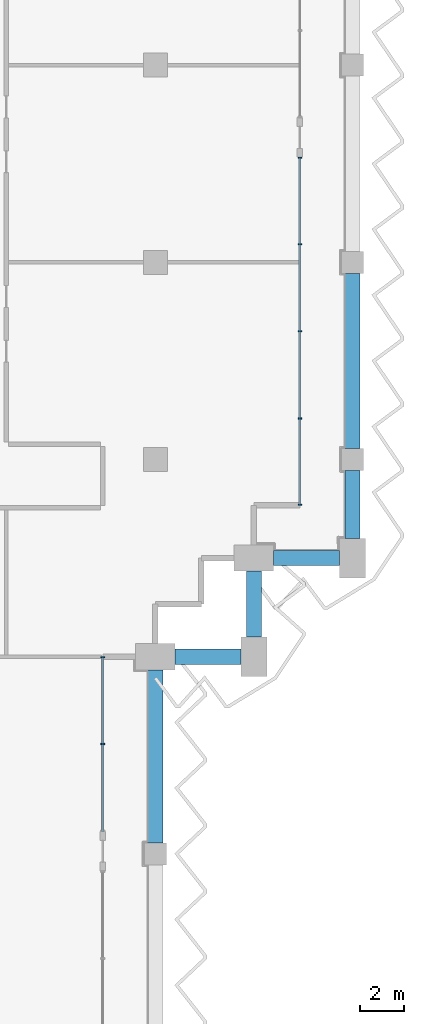
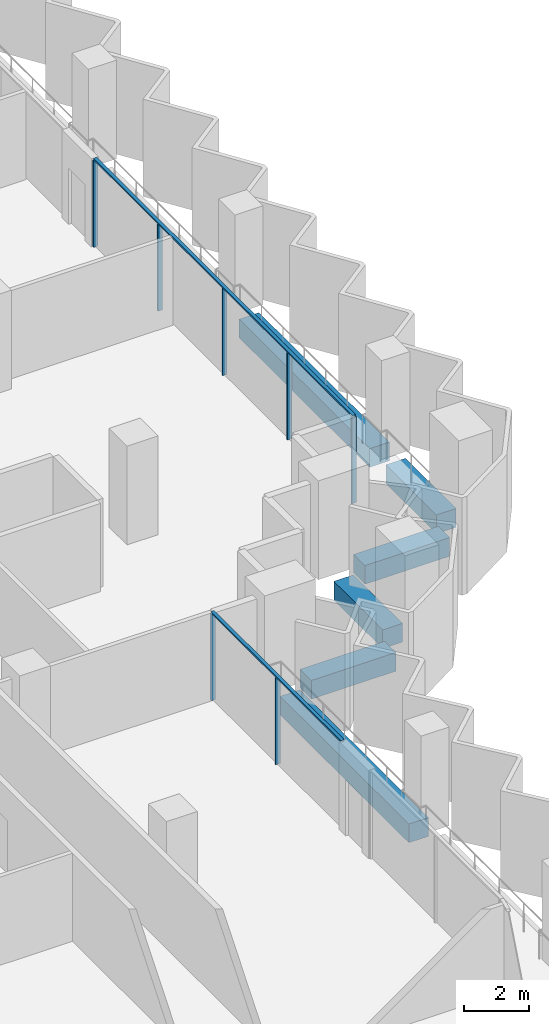
# One storey, part 4 of 17: 9 members, 6 beams, 2 elements without a shape of their own.
"""IFC4 building model written with IfcOpenShell, lengths in metres."""

import ifcopenshell
import ifcopenshell.guid

model = None  # the IFC model being written
_history = None  # IfcOwnerHistory: only IFC2X3 demands one
_inside = {}  # id of a spatial element -> (the spatial element, [elements in it])
_under = {}  # id of a project, library or spatial element -> (it, [spatial elements below it])
_declared = {}  # id of a project -> (the project, [libraries it declares])
_typed = {}  # id of a type object -> (the type object, [elements of that type])
_made_of = {}  # id of a material, layer set ... -> (it, [elements and type objects made of it])


def new_model(schema):
    """Start an empty IFC model of exactly this schema.

    Asked for "IFC4X3", IfcOpenShell would pick the latest addendum, in which some entities
    have other attributes; the version numbers below select the first issue.
    IFC2X3 requires an IfcOwnerHistory on every rooted entity: one is made here for all.
    """
    global model, _history
    if schema == "IFC4X3":
        model = ifcopenshell.file(schema_version=(4, 3, 0, 0))
    else:
        model = ifcopenshell.file(schema=schema)
    _inside.clear()
    _under.clear()
    _declared.clear()
    _typed.clear()
    _made_of.clear()
    _history = None
    if model.schema == "IFC2X3":
        org = make("IfcOrganization", Name="unknown")
        user = make(
            "IfcPersonAndOrganization",
            ThePerson=make("IfcPerson", FamilyName="unknown"),
            TheOrganization=org,
        )
        app = make(
            "IfcApplication",
            ApplicationDeveloper=org,
            Version="unknown",
            ApplicationFullName="unknown",
            ApplicationIdentifier="unknown",
        )
        _history = make(
            "IfcOwnerHistory",
            OwningUser=user,
            OwningApplication=app,
            ChangeAction="ADDED",
            CreationDate=0,
        )
    return model


def make(cls, **values):
    """One entity of the class cls with the attributes given. An attribute that is None is left unset."""
    return model.create_entity(
        cls, **{name: value for name, value in values.items() if value is not None}
    )


def rooted(cls, **values):
    """An entity with a GlobalId (a new one), such as an element, a storey or a relation."""
    return make(cls, GlobalId=ifcopenshell.guid.new(), OwnerHistory=_history, **values)


def si_unit(unit_type, name, prefix=None):
    """IfcSIUnit, for example si_unit("LENGTHUNIT", "METRE", prefix="MILLI")."""
    return make("IfcSIUnit", UnitType=unit_type, Prefix=prefix, Name=name)


def assignment(units):
    """IfcUnitAssignment: the units of a project."""
    return None if units is None else make("IfcUnitAssignment", Units=units)


def point(xyz):
    """IfcCartesianPoint."""
    return None if xyz is None else make("IfcCartesianPoint", Coordinates=xyz)


def direction(xyz):
    """IfcDirection."""
    return None if xyz is None else make("IfcDirection", DirectionRatios=xyz)


def frame(location, z_axis=None, x_axis=None):
    """IfcAxis2Placement3D, a coordinate frame: its origin and axes. An axis left out is left unset."""
    return make(
        "IfcAxis2Placement3D",
        Location=point(location),
        Axis=direction(z_axis),
        RefDirection=direction(x_axis),
    )


def frame_2d(location, x_axis=None):
    """IfcAxis2Placement2D, a coordinate frame in the plane: its origin and x axis."""
    return make(
        "IfcAxis2Placement2D", Location=point(location), RefDirection=direction(x_axis)
    )


def origin():
    """The frame at (0, 0, 0) with its axes left unset."""
    return frame((0.0, 0.0, 0.0))


def origin_2d():
    """The frame at (0, 0) in the plane with its x axis left unset."""
    return frame_2d((0.0, 0.0))


def place(relative_to, where):
    """IfcLocalPlacement: puts the frame where relative to a parent placement (None: the world)."""
    return make(
        "IfcLocalPlacement", PlacementRelTo=relative_to, RelativePlacement=where
    )


def context(
    kind, dimensions, precision=None, world=None, true_north=None, identifier=None
):
    """IfcGeometricRepresentationContext, for example the 3D "Model" context."""
    return make(
        "IfcGeometricRepresentationContext",
        ContextIdentifier=identifier,
        ContextType=kind,
        CoordinateSpaceDimension=dimensions,
        Precision=precision,
        WorldCoordinateSystem=world,
        TrueNorth=true_north,
    )


def subcontext(parent, identifier, kind, view, scale=None):
    """IfcGeometricRepresentationSubContext, for example "Body" below "Model"."""
    return make(
        "IfcGeometricRepresentationSubContext",
        ContextIdentifier=identifier,
        ContextType=kind,
        ParentContext=parent,
        TargetScale=scale,
        TargetView=view,
    )


def project(units=None, contexts=None):
    """IfcProject with its units and contexts."""
    return rooted(
        "IfcProject",
        Name="project",
        RepresentationContexts=contexts,
        UnitsInContext=assignment(units),
    )


def spatial(cls, under=None, at=None, **own):
    """A site, building, storey or space (cls), placed at a placement, below another one or the project."""
    s = rooted(cls, ObjectPlacement=at, **own)
    if under is not None:
        _under.setdefault(under.id(), (under, []))[1].append(s)
    return s


def profile(cls, at=None, kind="AREA", **sizes):
    """A parametric profile (cls). Its sizes go by their IFC names, for example OverallWidth=200.0."""
    return make(cls, ProfileType=kind, Position=at, **sizes)


def rectangle(**sizes):
    """IfcRectangleProfileDef."""
    return profile("IfcRectangleProfileDef", **sizes)


def extrude(swept, where, along, depth):
    """IfcExtrudedAreaSolid: the profile swept, set in the frame where, extruded along a direction by depth."""
    return make(
        "IfcExtrudedAreaSolid",
        SweptArea=swept,
        Position=where,
        ExtrudedDirection=direction(along),
        Depth=depth,
    )


def shape(context_of_items, identifier, shape_type, items):
    """IfcShapeRepresentation: the items that make up one representation, for example the "Body"."""
    return make(
        "IfcShapeRepresentation",
        ContextOfItems=context_of_items,
        RepresentationIdentifier=identifier,
        RepresentationType=shape_type,
        Items=items,
    )


def material(Name=None, Category=None):
    """IfcMaterial."""
    return make("IfcMaterial", Name=Name, Category=Category)


def material_profile(
    of_material, cross_section, Name=None, Category=None, Priority=None
):
    """IfcMaterialProfile: a cross section and its material."""
    return make(
        "IfcMaterialProfile",
        Name=Name,
        Material=of_material,
        Profile=cross_section,
        Priority=Priority,
        Category=Category,
    )


def profile_set(profiles, Name=None, composite=None):
    """IfcMaterialProfileSet."""
    return make(
        "IfcMaterialProfileSet",
        Name=Name,
        MaterialProfiles=profiles,
        CompositeProfile=composite,
    )


def made_of(thing, what):
    """Note that an element or type object is made of a material, layer set ...; save() writes the relation."""
    if what is not None:
        _made_of.setdefault(what.id(), (what, []))[1].append(thing)
    return thing


def type_object(cls, material=None, **own):
    """A type object (cls), such as IfcWallType, which elements share."""
    return made_of(rooted(cls, **own), material)


def element(
    cls,
    number,
    at=None,
    inside=None,
    cuts=None,
    type_object=None,
    material=None,
    context=None,
    identifier="Body",
    shape_type=None,
    held_by="IfcProductDefinitionShape",
    body=None,
    shapes=None,
    **own,
):
    """One element of the class cls, such as IfcWall. Its Tag is "e" and its number.

    at: its placement. inside: the storey or other place that contains it. cuts: it is an
    opening in that element (IfcRelVoidsElement). A single representation is given by context,
    identifier, shape_type and body (its items); several are given by shapes. held_by: the class
    of the entity that holds the representations. save() writes the other relations.
    """
    e = rooted(cls, Tag="e%d" % number, ObjectPlacement=at, **own)
    if body is not None:
        shapes = [shape(context, identifier, shape_type, body)]
    if shapes is not None:
        e.Representation = make(held_by, Representations=shapes)
    if inside is not None:
        _inside.setdefault(inside.id(), (inside, []))[1].append(e)
    if cuts is not None:
        rooted(
            "IfcRelVoidsElement", RelatingBuildingElement=cuts, RelatedOpeningElement=e
        )
    if type_object is not None:
        _typed.setdefault(type_object.id(), (type_object, []))[1].append(e)
    return made_of(e, material)


def aggregate(whole, parts):
    """IfcRelAggregates: a whole, such as a stair, and the parts it consists of."""
    return rooted("IfcRelAggregates", RelatingObject=whole, RelatedObjects=parts)


def save(model, path):
    """Write the relations noted so far, then the file.

    IfcRelAggregates (storeys below a building ...), IfcRelContainedInSpatialStructure (elements
    in a storey), IfcRelDefinesByType, IfcRelAssociatesMaterial and IfcRelDeclares: one each for
    every whole, place, type object, material and project.
    """
    for whole, parts in _under.values():
        aggregate(whole, parts)
    for where, things in _inside.values():
        rooted(
            "IfcRelContainedInSpatialStructure",
            RelatedElements=things,
            RelatingStructure=where,
        )
    for kind, things in _typed.values():
        rooted("IfcRelDefinesByType", RelatedObjects=things, RelatingType=kind)
    for what, things in _made_of.values():
        rooted("IfcRelAssociatesMaterial", RelatedObjects=things, RelatingMaterial=what)
    for by, libraries in _declared.values():
        rooted("IfcRelDeclares", RelatingContext=by, RelatedDefinitions=libraries)
    model.write(path)


model = new_model("IFC4")

# Units and contexts
model_context = context("Model", 3, precision=1e-05, world=origin(), true_north=direction((0.0, 1.0)))
body_context = subcontext(model_context, "Body", "Model", "MODEL_VIEW")
ifc_project = project(units=[si_unit("LENGTHUNIT", "METRE"), si_unit("AREAUNIT", "SQUARE_METRE"), si_unit("VOLUMEUNIT", "CUBIC_METRE"), si_unit("PLANEANGLEUNIT", "RADIAN"), si_unit("MASSUNIT", "GRAM", prefix="KILO")], contexts=[model_context])

# Site, building, storey
site_placement = place(None, origin())
site = spatial("IfcSite", under=ifc_project, at=site_placement, CompositionType="ELEMENT")
building_placement = place(site_placement, origin())
building = spatial("IfcBuilding", under=site, at=building_placement, Name="Hunhe Ridgeline Campus", CompositionType="ELEMENT")
storey_placement = place(building_placement, frame((0.0, 0.0, 190.199951171875)))
storey = spatial("IfcBuildingStorey", under=building, at=storey_placement, Name="L48", CompositionType="ELEMENT", Elevation=190.199951171875)

# Curtain wall, members
ifc_material_1 = material(Name="Aluminium 6063", Category="aluminium")
curtain_wall_type = type_object("IfcCurtainWallType", Name="Curtain wall CW-1", PredefinedType="NOTDEFINED", material=ifc_material_1)
curtain_wall_1_placement = place(storey_placement, origin())
curtain_wall_1 = element("IfcCurtainWall", 1, at=curtain_wall_1_placement, inside=storey, type_object=curtain_wall_type, Name="Curtain wall 12", PredefinedType="NOTDEFINED")
ifc_material_profile_1 = material_profile(ifc_material_1, rectangle(XDim=0.159912109375, YDim=0.06005859375, at=origin_2d()))
ifc_profile_set_1 = profile_set([ifc_material_profile_1], Name="Aluminium 6063")
member_type_1 = type_object("IfcMemberType", Name="CW-1 aluminium mullion", PredefinedType="MULLION", material=ifc_profile_set_1)
member_1_placement = place(storey_placement, frame((42.59912109375, 50.009521484375, 0.0), z_axis=(0.0, 0.0, 1.0), x_axis=(-0.999999999978, 6.639948e-06, 0.0)))
member_1 = element("IfcMember", 2, at=member_1_placement, type_object=member_type_1, Name="CW-1 mullion 2", PredefinedType="MULLION", context=body_context, shape_type="SweptSolid", body=[
    extrude(rectangle(XDim=0.159912109375, YDim=0.06005859375, at=origin_2d()), origin(), (0.0, 0.0, 1.0), 3.239990234375),
])
member_2_placement = place(storey_placement, frame((42.59912109375, 53.970458984375, 0.0), z_axis=(0.0, 0.0, 1.0), x_axis=(-0.999999999978, 6.639948e-06, 0.0)))
member_2 = element("IfcMember", 3, at=member_2_placement, type_object=member_type_1, Name="CW-1 mullion 3", PredefinedType="MULLION", context=body_context, shape_type="SweptSolid", body=[
    extrude(rectangle(XDim=0.159912109375, YDim=0.06005859375, at=origin_2d()), origin(), (0.0, 0.0, 1.0), 3.239990234375),
])

curtain_wall_2_placement = place(storey_placement, origin())
curtain_wall_2 = element("IfcCurtainWall", 4, at=curtain_wall_2_placement, inside=storey, type_object=curtain_wall_type, Name="Curtain wall 13", PredefinedType="NOTDEFINED")
member_3_placement = place(storey_placement, frame((51.59912109375, 60.930908203125, 0.0), z_axis=(0.0, 0.0, 1.0), x_axis=(-1.0, 0.0, 0.0)))
member_3 = element("IfcMember", 5, at=member_3_placement, type_object=member_type_1, Name="CW-1 mullion 1", PredefinedType="MULLION", context=body_context, shape_type="SweptSolid", body=[
    extrude(rectangle(XDim=0.159912109375, YDim=0.06005859375, at=origin_2d()), origin(), (0.0, 0.0, 1.0), 3.239990234375),
])
member_4_placement = place(storey_placement, frame((51.59912109375, 64.8759765625, 0.0), z_axis=(0.0, 0.0, 1.0), x_axis=(-1.0, 0.0, 0.0)))
member_4 = element("IfcMember", 6, at=member_4_placement, type_object=member_type_1, Name="CW-1 mullion 2", PredefinedType="MULLION", context=body_context, shape_type="SweptSolid", body=[
    extrude(rectangle(XDim=0.159912109375, YDim=0.06005859375, at=origin_2d()), origin(), (0.0, 0.0, 1.0), 3.239990234375),
])
member_5_placement = place(storey_placement, frame((51.59912109375, 68.850830078125, 0.0), z_axis=(0.0, 0.0, 1.0), x_axis=(-1.0, 0.0, 0.0)))
member_5 = element("IfcMember", 7, at=member_5_placement, type_object=member_type_1, Name="CW-1 mullion 3", PredefinedType="MULLION", context=body_context, shape_type="SweptSolid", body=[
    extrude(rectangle(XDim=0.159912109375, YDim=0.06005859375, at=origin_2d()), origin(), (0.0, 0.0, 1.0), 3.239990234375),
])
member_6_placement = place(storey_placement, frame((51.59912109375, 72.82568359375, 0.0), z_axis=(0.0, 0.0, 1.0), x_axis=(-1.0, 0.0, 0.0)))
member_6 = element("IfcMember", 8, at=member_6_placement, type_object=member_type_1, Name="CW-1 mullion 4", PredefinedType="MULLION", context=body_context, shape_type="SweptSolid", body=[
    extrude(rectangle(XDim=0.159912109375, YDim=0.06005859375, at=origin_2d()), origin(), (0.0, 0.0, 1.0), 3.239990234375),
])
member_7_placement = place(storey_placement, frame((51.59912109375, 76.7705078125, 0.0), z_axis=(0.0, 0.0, 1.0), x_axis=(-1.0, 0.0, 0.0)))
member_7 = element("IfcMember", 9, at=member_7_placement, type_object=member_type_1, Name="CW-1 mullion 5", PredefinedType="MULLION", context=body_context, shape_type="SweptSolid", body=[
    extrude(rectangle(XDim=0.159912109375, YDim=0.06005859375, at=origin_2d()), origin(), (0.0, 0.0, 1.0), 3.239990234375),
])

# Member
ifc_material_profile_2 = material_profile(ifc_material_1, rectangle(XDim=0.1201171875, YDim=0.06005859375, at=origin_2d()))
ifc_profile_set_2 = profile_set([ifc_material_profile_2], Name="Aluminium 6063")
member_type_2 = type_object("IfcMemberType", Name="CW-1 aluminium transom", PredefinedType="USERDEFINED", material=ifc_profile_set_2)
member_8_placement = place(storey_placement, frame((42.59912109375, 46.0185546875, 3.27001953125), z_axis=(0.0, 1.0, 0.0), x_axis=(-1.0, 0.0, 0.0)))
member_8 = element("IfcMember", 10, at=member_8_placement, type_object=member_type_2, Name="CW-1 transom 1", ObjectType="TRANSOM", PredefinedType="USERDEFINED", context=body_context, shape_type="SweptSolid", body=[
    extrude(rectangle(XDim=0.1201171875, YDim=0.06005859375, at=origin_2d()), origin(), (0.0, 0.0, 1.0), 7.98193359375),
])

aggregate(curtain_wall_1, [member_8, member_1, member_2])

member_9_placement = place(storey_placement, frame((51.59912109375, 60.90087890625, 3.27001953125), z_axis=(0.0, 1.0, 0.0), x_axis=(-1.0, 0.0, 0.0)))
member_9 = element("IfcMember", 11, at=member_9_placement, type_object=member_type_2, Name="CW-1 transom 1", ObjectType="TRANSOM", PredefinedType="USERDEFINED", context=body_context, shape_type="SweptSolid", body=[
    extrude(rectangle(XDim=0.1201171875, YDim=0.06005859375, at=origin_2d()), origin(), (0.0, 0.0, 1.0), 15.899658203125),
])

aggregate(curtain_wall_2, [member_9, member_3, member_4, member_5, member_6, member_7])

# Beams
ifc_material_2 = material(Name="Concrete C50", Category="concrete")
ifc_material_profile_3 = material_profile(ifc_material_2, rectangle(XDim=0.699951171875, YDim=0.699951171875, at=origin_2d()))
ifc_profile_set_3 = profile_set([ifc_material_profile_3], Name="Concrete C50")
beam_type = type_object("IfcBeamType", Name="RC spandrel beam 700x700 Concrete C50", PredefinedType="SPANDREL", material=ifc_profile_set_3)
beam_1_placement = place(storey_placement, frame((45.0, 45.5, -0.599853515625), z_axis=(0.0, 1.0, 0.0), x_axis=(-1.0, 0.0, 0.0)))
element("IfcBeam", 12, at=beam_1_placement, inside=storey, type_object=beam_type, Name="Spandrel beam B3-10 L48", PredefinedType="SPANDREL", context=body_context, shape_type="SweptSolid", body=[
    extrude(rectangle(XDim=0.699951171875, YDim=0.699951171875, at=origin_2d()), origin(), (0.0, 0.0, 1.0), 7.89990234375),
])
for number, where, z_axis, x_axis, name in (
    (13, (45.89990234375, 54.0, -0.599853515625), (1.0, 0.0, 0.0), (0.0, 1.0, 0.0), "Spandrel beam B3-11 L48"),
    (14, (49.5, 54.89990234375, -0.599853515625), (0.0, 1.0, 0.0), (-1.0, 0.0, 0.0), "Spandrel beam B3-12 L48"),
    (15, (50.39990234375, 58.5, -0.599853515625), (1.0, 0.0, 0.0), (0.0, 1.0, 0.0), "Spandrel beam B3-13 L48"),
):
    element("IfcBeam", number, at=place(storey_placement, frame(where, z_axis=z_axis, x_axis=x_axis)), inside=storey, type_object=beam_type, Name=name, PredefinedType="SPANDREL", context=body_context, shape_type="SweptSolid", body=[
        extrude(rectangle(XDim=0.699951171875, YDim=0.699951171875, at=origin_2d()), origin(), (0.0, 0.0, 1.0), 3.0),
    ])
beam_2_placement = place(storey_placement, frame((54.0, 59.39990234375, -0.599853515625), z_axis=(0.0, 1.0, 0.0), x_axis=(-1.0, 0.0, 0.0)))
element("IfcBeam", 16, at=beam_2_placement, inside=storey, type_object=beam_type, Name="Spandrel beam B3-14 L48", PredefinedType="SPANDREL", context=body_context, shape_type="SweptSolid", body=[
    extrude(rectangle(XDim=0.699951171875, YDim=0.699951171875, at=origin_2d()), origin(), (0.0, 0.0, 1.0), 3.10009765625),
])
beam_3_placement = place(storey_placement, frame((54.0, 63.5, -0.599853515625), z_axis=(0.0, 1.0, 0.0), x_axis=(-1.0, 0.0, 0.0)))
element("IfcBeam", 17, at=beam_3_placement, inside=storey, type_object=beam_type, Name="Spandrel beam B3-15 L48", PredefinedType="SPANDREL", context=body_context, shape_type="SweptSolid", body=[
    extrude(rectangle(XDim=0.699951171875, YDim=0.699951171875, at=origin_2d()), origin(), (0.0, 0.0, 1.0), 8.0),
])

save(model, "model.ifc")
